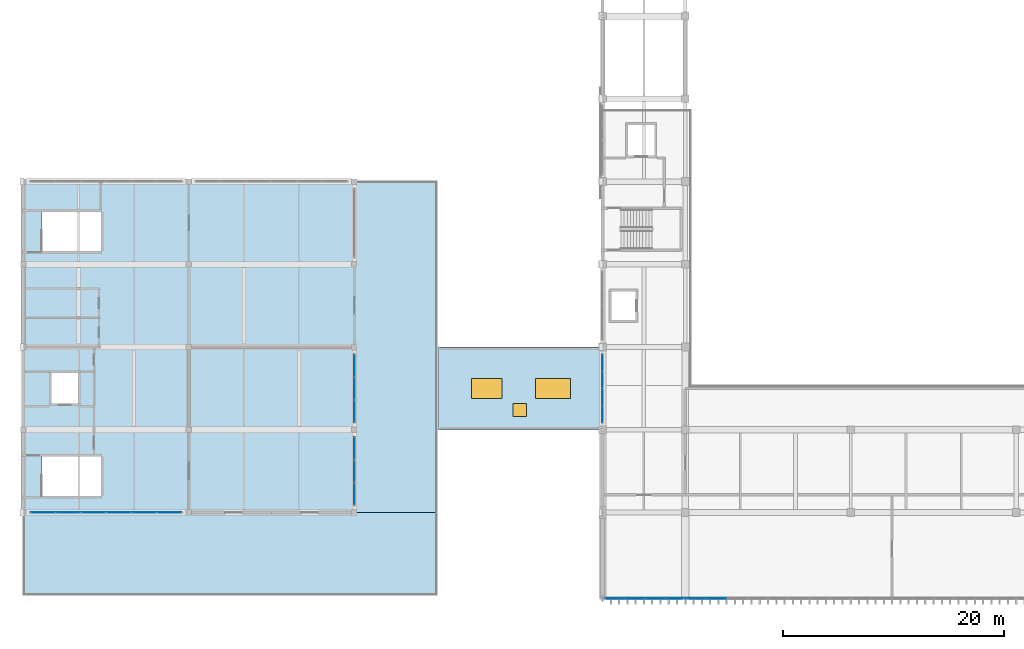
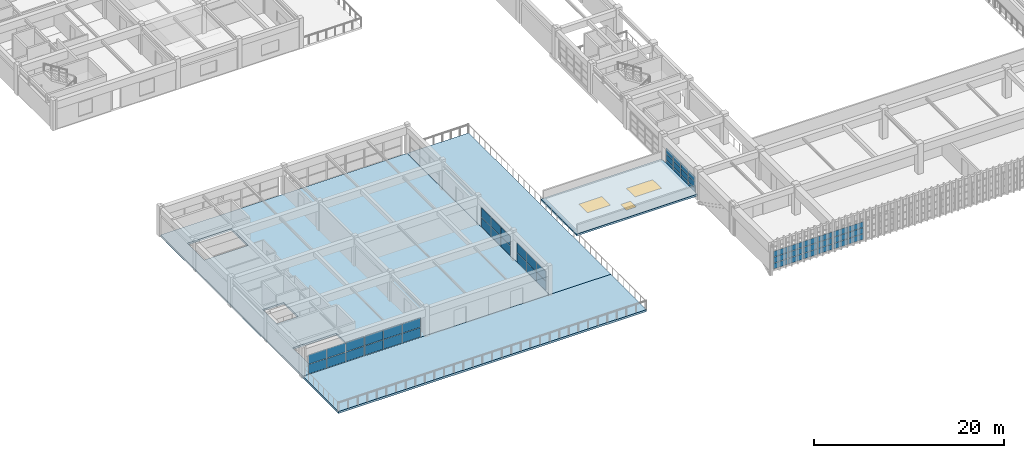
# One storey, part 50 of 82: 54 plates, 4 slabs, 2 windows, 1 door, 3 openings, 7 elements without a shape of their own.
"""IFC4 building model written with IfcOpenShell, lengths in metres."""

from ifc_helpers import new_model, si_unit, direction, frame, origin, origin_2d, place, context, subcontext, project, spatial, polyline, rectangle, outline, extrude, material, layer, layer_set, type_object, element, fill, aggregate, save


model = new_model("IFC4")

# Units and contexts
model_context = context("Model", 3, precision=1e-05, world=origin(), true_north=direction((0.0, 1.0)))
body_context = subcontext(model_context, "Body", "Model", "MODEL_VIEW")
ifc_project = project(units=[si_unit("LENGTHUNIT", "METRE"), si_unit("AREAUNIT", "SQUARE_METRE"), si_unit("VOLUMEUNIT", "CUBIC_METRE"), si_unit("PLANEANGLEUNIT", "RADIAN"), si_unit("MASSUNIT", "GRAM", prefix="KILO")], contexts=[model_context])

# Site, building, storey
site_placement = place(None, origin())
site = spatial("IfcSite", under=ifc_project, at=site_placement, CompositionType="ELEMENT")
building_placement = place(site_placement, origin())
building = spatial("IfcBuilding", under=site, at=building_placement, Name="Qasida Concert Hall", CompositionType="ELEMENT")
storey_placement = place(building_placement, frame((0.0, 0.0, 17.10009765625)))
storey = spatial("IfcBuildingStorey", under=building, at=storey_placement, Name="L04", CompositionType="ELEMENT", Elevation=17.10009765625)

# Curtain wall, plates
ifc_material_1 = material(Name="Architectural bronze-anodized aluminium and low-E glass", Category="aluminium")
curtain_wall_type_1 = type_object("IfcCurtainWallType", Name="CW-10", PredefinedType="NOTDEFINED", material=ifc_material_1)
curtain_wall_1_placement = place(storey_placement, origin())
curtain_wall_1 = element("IfcCurtainWall", 1, at=curtain_wall_1_placement, inside=storey, type_object=curtain_wall_type_1, Name="L04 curtain wall CW-10 0022", PredefinedType="NOTDEFINED")
ifc_material_2 = material(Name="Solar-control low-E double glazing", Category="glass")
ifc_layer_1 = layer(ifc_material_2, 0.035888671875, Name="Solar-control low-E double glazing")
ifc_layer_set_1 = layer_set([ifc_layer_1], Name="Solar-control low-E double glazing")
plate_type_1 = type_object("IfcPlateType", Name="PLT-CWP-1", PredefinedType="CURTAIN_PANEL", material=ifc_layer_set_1)
plate_1_placement = place(storey_placement, frame((53.62744140625, 14.699951171875, 0.06005859375), z_axis=(0.0, 0.0, 1.0), x_axis=(1.0, 0.0, 0.0)))
plate_1 = element("IfcPlate", 2, at=plate_1_placement, type_object=plate_type_1, Name="CW-10 panel 1.1", PredefinedType="CURTAIN_PANEL", context=body_context, shape_type="SweptSolid", body=[
    extrude(rectangle(XDim=1.715087890625, YDim=0.035888671875, at=origin_2d()), origin(), (0.0, 0.0, 1.0), 0.706787109375),
])
plate_2_placement = place(storey_placement, frame((53.62744140625, 14.699951171875, 0.82666015625), z_axis=(0.0, 0.0, 1.0), x_axis=(1.0, 0.0, 0.0)))
plate_2 = element("IfcPlate", 3, at=plate_2_placement, type_object=plate_type_1, Name="CW-10 panel 1.2", PredefinedType="CURTAIN_PANEL", context=body_context, shape_type="SweptSolid", body=[
    extrude(rectangle(XDim=1.715087890625, YDim=0.035888671875, at=origin_2d()), origin(), (0.0, 0.0, 1.0), 0.736572265625),
])
plate_3_placement = place(storey_placement, frame((53.62744140625, 14.699951171875, 1.623046875), z_axis=(0.0, 0.0, 1.0), x_axis=(1.0, 0.0, 0.0)))
plate_3 = element("IfcPlate", 4, at=plate_3_placement, type_object=plate_type_1, Name="CW-10 panel 1.3", PredefinedType="CURTAIN_PANEL", context=body_context, shape_type="SweptSolid", body=[
    extrude(rectangle(XDim=1.715087890625, YDim=0.035888671875, at=origin_2d()), origin(), (0.0, 0.0, 1.0), 0.706787109375),
])
plate_4_placement = place(storey_placement, frame((55.429931640625, 14.699951171875, 0.06005859375), z_axis=(0.0, 0.0, 1.0), x_axis=(1.0, 0.0, 0.0)))
plate_4 = element("IfcPlate", 5, at=plate_4_placement, type_object=plate_type_1, Name="CW-10 panel 2.1", PredefinedType="CURTAIN_PANEL", context=body_context, shape_type="SweptSolid", body=[
    extrude(rectangle(XDim=1.75, YDim=0.035888671875, at=origin_2d()), origin(), (0.0, 0.0, 1.0), 0.706787109375),
])
plate_5_placement = place(storey_placement, frame((55.429931640625, 14.699951171875, 0.82666015625), z_axis=(0.0, 0.0, 1.0), x_axis=(1.0, 0.0, 0.0)))
plate_5 = element("IfcPlate", 6, at=plate_5_placement, type_object=plate_type_1, Name="CW-10 panel 2.2", PredefinedType="CURTAIN_PANEL", context=body_context, shape_type="SweptSolid", body=[
    extrude(rectangle(XDim=1.75, YDim=0.035888671875, at=origin_2d()), origin(), (0.0, 0.0, 1.0), 0.736572265625),
])
plate_6_placement = place(storey_placement, frame((55.429931640625, 14.699951171875, 1.623046875), z_axis=(0.0, 0.0, 1.0), x_axis=(1.0, 0.0, 0.0)))
plate_6 = element("IfcPlate", 7, at=plate_6_placement, type_object=plate_type_1, Name="CW-10 panel 2.3", PredefinedType="CURTAIN_PANEL", context=body_context, shape_type="SweptSolid", body=[
    extrude(rectangle(XDim=1.75, YDim=0.035888671875, at=origin_2d()), origin(), (0.0, 0.0, 1.0), 0.706787109375),
])
plate_7_placement = place(storey_placement, frame((57.25, 14.699951171875, 0.06005859375), z_axis=(0.0, 0.0, 1.0), x_axis=(1.0, 0.0, 0.0)))
plate_7 = element("IfcPlate", 8, at=plate_7_placement, type_object=plate_type_1, Name="CW-10 panel 3.1", PredefinedType="CURTAIN_PANEL", context=body_context, shape_type="SweptSolid", body=[
    extrude(rectangle(XDim=1.75, YDim=0.035888671875, at=origin_2d()), origin(), (0.0, 0.0, 1.0), 0.706787109375),
])
plate_8_placement = place(storey_placement, frame((57.25, 14.699951171875, 0.82666015625), z_axis=(0.0, 0.0, 1.0), x_axis=(1.0, 0.0, 0.0)))
plate_8 = element("IfcPlate", 9, at=plate_8_placement, type_object=plate_type_1, Name="CW-10 panel 3.2", PredefinedType="CURTAIN_PANEL", context=body_context, shape_type="SweptSolid", body=[
    extrude(rectangle(XDim=1.75, YDim=0.035888671875, at=origin_2d()), origin(), (0.0, 0.0, 1.0), 0.736572265625),
])
plate_9_placement = place(storey_placement, frame((57.25, 14.699951171875, 1.623046875), z_axis=(0.0, 0.0, 1.0), x_axis=(1.0, 0.0, 0.0)))
plate_9 = element("IfcPlate", 10, at=plate_9_placement, type_object=plate_type_1, Name="CW-10 panel 3.3", PredefinedType="CURTAIN_PANEL", context=body_context, shape_type="SweptSolid", body=[
    extrude(rectangle(XDim=1.75, YDim=0.035888671875, at=origin_2d()), origin(), (0.0, 0.0, 1.0), 0.706787109375),
])
plate_10_placement = place(storey_placement, frame((59.052490234375, 14.699951171875, 0.06005859375), z_axis=(0.0, 0.0, 1.0), x_axis=(1.0, 0.0, 0.0)))
plate_10 = element("IfcPlate", 11, at=plate_10_placement, type_object=plate_type_1, Name="CW-10 panel 4.1", PredefinedType="CURTAIN_PANEL", context=body_context, shape_type="SweptSolid", body=[
    extrude(rectangle(XDim=1.715087890625, YDim=0.035888671875, at=origin_2d()), origin(), (0.0, 0.0, 1.0), 0.706787109375),
])
plate_11_placement = place(storey_placement, frame((59.052490234375, 14.699951171875, 0.82666015625), z_axis=(0.0, 0.0, 1.0), x_axis=(1.0, 0.0, 0.0)))
plate_11 = element("IfcPlate", 12, at=plate_11_placement, type_object=plate_type_1, Name="CW-10 panel 4.2", PredefinedType="CURTAIN_PANEL", context=body_context, shape_type="SweptSolid", body=[
    extrude(rectangle(XDim=1.715087890625, YDim=0.035888671875, at=origin_2d()), origin(), (0.0, 0.0, 1.0), 0.736572265625),
])
plate_12_placement = place(storey_placement, frame((59.052490234375, 14.699951171875, 1.623046875), z_axis=(0.0, 0.0, 1.0), x_axis=(1.0, 0.0, 0.0)))
plate_12 = element("IfcPlate", 13, at=plate_12_placement, type_object=plate_type_1, Name="CW-10 panel 4.3", PredefinedType="CURTAIN_PANEL", context=body_context, shape_type="SweptSolid", body=[
    extrude(rectangle(XDim=1.715087890625, YDim=0.035888671875, at=origin_2d()), origin(), (0.0, 0.0, 1.0), 0.706787109375),
])
aggregate(curtain_wall_1, [plate_1, plate_2, plate_3, plate_4, plate_5, plate_6, plate_7, plate_8, plate_9, plate_10, plate_11, plate_12])

curtain_wall_2_placement = place(storey_placement, origin())
curtain_wall_2 = element("IfcCurtainWall", 14, at=curtain_wall_2_placement, inside=storey, type_object=curtain_wall_type_1, Name="L04 curtain wall CW-10 0023", PredefinedType="NOTDEFINED")
plate_13_placement = place(storey_placement, frame((60.969970703125, 14.699951171875, 0.06005859375), z_axis=(0.0, 0.0, 1.0), x_axis=(1.0, 0.0, 0.0)))
plate_13 = element("IfcPlate", 15, at=plate_13_placement, type_object=plate_type_1, Name="CW-10 panel 1.1", PredefinedType="CURTAIN_PANEL", context=body_context, shape_type="SweptSolid", body=[
    extrude(rectangle(XDim=1.760009765625, YDim=0.035888671875, at=origin_2d()), origin(), (0.0, 0.0, 1.0), 0.706787109375),
])
plate_14_placement = place(storey_placement, frame((60.969970703125, 14.699951171875, 0.82666015625), z_axis=(0.0, 0.0, 1.0), x_axis=(1.0, 0.0, 0.0)))
plate_14 = element("IfcPlate", 16, at=plate_14_placement, type_object=plate_type_1, Name="CW-10 panel 1.2", PredefinedType="CURTAIN_PANEL", context=body_context, shape_type="SweptSolid", body=[
    extrude(rectangle(XDim=1.760009765625, YDim=0.035888671875, at=origin_2d()), origin(), (0.0, 0.0, 1.0), 0.736572265625),
])
plate_15_placement = place(storey_placement, frame((60.969970703125, 14.699951171875, 1.623046875), z_axis=(0.0, 0.0, 1.0), x_axis=(1.0, 0.0, 0.0)))
plate_15 = element("IfcPlate", 17, at=plate_15_placement, type_object=plate_type_1, Name="CW-10 panel 1.3", PredefinedType="CURTAIN_PANEL", context=body_context, shape_type="SweptSolid", body=[
    extrude(rectangle(XDim=1.760009765625, YDim=0.035888671875, at=origin_2d()), origin(), (0.0, 0.0, 1.0), 0.706787109375),
])
plate_16_placement = place(storey_placement, frame((62.8173828125, 14.699951171875, 0.06005859375), z_axis=(0.0, 0.0, 1.0), x_axis=(1.0, 0.0, 0.0)))
plate_16 = element("IfcPlate", 18, at=plate_16_placement, type_object=plate_type_1, Name="CW-10 panel 2.1", PredefinedType="CURTAIN_PANEL", context=body_context, shape_type="SweptSolid", body=[
    extrude(rectangle(XDim=1.794921875, YDim=0.035888671875, at=origin_2d()), origin(), (0.0, 0.0, 1.0), 0.706787109375),
])
plate_17_placement = place(storey_placement, frame((62.8173828125, 14.699951171875, 0.82666015625), z_axis=(0.0, 0.0, 1.0), x_axis=(1.0, 0.0, 0.0)))
plate_17 = element("IfcPlate", 19, at=plate_17_placement, type_object=plate_type_1, Name="CW-10 panel 2.2", PredefinedType="CURTAIN_PANEL", context=body_context, shape_type="SweptSolid", body=[
    extrude(rectangle(XDim=1.794921875, YDim=0.035888671875, at=origin_2d()), origin(), (0.0, 0.0, 1.0), 0.736572265625),
])
plate_18_placement = place(storey_placement, frame((62.8173828125, 14.699951171875, 1.623046875), z_axis=(0.0, 0.0, 1.0), x_axis=(1.0, 0.0, 0.0)))
plate_18 = element("IfcPlate", 20, at=plate_18_placement, type_object=plate_type_1, Name="CW-10 panel 2.3", PredefinedType="CURTAIN_PANEL", context=body_context, shape_type="SweptSolid", body=[
    extrude(rectangle(XDim=1.794921875, YDim=0.035888671875, at=origin_2d()), origin(), (0.0, 0.0, 1.0), 0.706787109375),
])
aggregate(curtain_wall_2, [plate_13, plate_14, plate_15, plate_16, plate_17, plate_18])

curtain_wall_type_2 = type_object("IfcCurtainWallType", Name="CW-11", PredefinedType="NOTDEFINED", material=ifc_material_1)
curtain_wall_3_placement = place(storey_placement, origin())
curtain_wall_3 = element("IfcCurtainWall", 21, at=curtain_wall_3_placement, inside=storey, type_object=curtain_wall_type_2, Name="L04 curtain wall CW-11 0056", PredefinedType="NOTDEFINED")
ifc_layer_2 = layer(ifc_material_2, 0.031982421875, Name="Solar-control low-E double glazing")
ifc_layer_set_2 = layer_set([ifc_layer_2], Name="Solar-control low-E double glazing")
plate_type_2 = type_object("IfcPlateType", Name="PLT-CWP-2", PredefinedType="CURTAIN_PANEL", material=ifc_layer_set_2)
plate_19_placement = place(storey_placement, frame((52.5, 31.418701171875, 0.06005859375), z_axis=(0.0, 0.0, 1.0), x_axis=(0.0, 1.0, 0.0)))
plate_19 = element("IfcPlate", 22, at=plate_19_placement, type_object=plate_type_2, Name="CW-11 panel 1.1", PredefinedType="CURTAIN_PANEL", context=body_context, shape_type="SweptSolid", body=[
    extrude(rectangle(XDim=1.467529296875, YDim=0.031982421875, at=origin_2d()), origin(), (0.0, 0.0, 1.0), 0.706787109375),
])
plate_20_placement = place(storey_placement, frame((52.5, 31.418701171875, 0.82666015625), z_axis=(0.0, 0.0, 1.0), x_axis=(0.0, 1.0, 0.0)))
plate_20 = element("IfcPlate", 23, at=plate_20_placement, type_object=plate_type_2, Name="CW-11 panel 1.2", PredefinedType="CURTAIN_PANEL", context=body_context, shape_type="SweptSolid", body=[
    extrude(rectangle(XDim=1.467529296875, YDim=0.031982421875, at=origin_2d()), origin(), (0.0, 0.0, 1.0), 0.736572265625),
])
plate_21_placement = place(storey_placement, frame((52.5, 31.418701171875, 1.623046875), z_axis=(0.0, 0.0, 1.0), x_axis=(0.0, 1.0, 0.0)))
plate_21 = element("IfcPlate", 24, at=plate_21_placement, type_object=plate_type_2, Name="CW-11 panel 1.3", PredefinedType="CURTAIN_PANEL", context=body_context, shape_type="SweptSolid", body=[
    extrude(rectangle(XDim=1.467529296875, YDim=0.031982421875, at=origin_2d()), origin(), (0.0, 0.0, 1.0), 0.706787109375),
])
plate_22_placement = place(storey_placement, frame((52.5, 32.967529296875, 0.06005859375), z_axis=(0.0, 0.0, 1.0), x_axis=(0.0, 1.0, 0.0)))
plate_22 = element("IfcPlate", 25, at=plate_22_placement, type_object=plate_type_2, Name="CW-11 panel 2.1", PredefinedType="CURTAIN_PANEL", context=body_context, shape_type="SweptSolid", body=[
    extrude(rectangle(XDim=1.5, YDim=0.031982421875, at=origin_2d()), origin(), (0.0, 0.0, 1.0), 0.706787109375),
])
plate_23_placement = place(storey_placement, frame((52.5, 32.967529296875, 0.82666015625), z_axis=(0.0, 0.0, 1.0), x_axis=(0.0, 1.0, 0.0)))
plate_23 = element("IfcPlate", 26, at=plate_23_placement, type_object=plate_type_2, Name="CW-11 panel 2.2", PredefinedType="CURTAIN_PANEL", context=body_context, shape_type="SweptSolid", body=[
    extrude(rectangle(XDim=1.5, YDim=0.031982421875, at=origin_2d()), origin(), (0.0, 0.0, 1.0), 0.736572265625),
])
plate_24_placement = place(storey_placement, frame((52.5, 32.967529296875, 1.623046875), z_axis=(0.0, 0.0, 1.0), x_axis=(0.0, 1.0, 0.0)))
plate_24 = element("IfcPlate", 27, at=plate_24_placement, type_object=plate_type_2, Name="CW-11 panel 2.3", PredefinedType="CURTAIN_PANEL", context=body_context, shape_type="SweptSolid", body=[
    extrude(rectangle(XDim=1.5, YDim=0.031982421875, at=origin_2d()), origin(), (0.0, 0.0, 1.0), 0.706787109375),
])
plate_25_placement = place(storey_placement, frame((52.5, 34.532470703125, 0.06005859375), z_axis=(0.0, 0.0, 1.0), x_axis=(0.0, 1.0, 0.0)))
plate_25 = element("IfcPlate", 28, at=plate_25_placement, type_object=plate_type_2, Name="CW-11 panel 3.1", PredefinedType="CURTAIN_PANEL", context=body_context, shape_type="SweptSolid", body=[
    extrude(rectangle(XDim=1.5, YDim=0.031982421875, at=origin_2d()), origin(), (0.0, 0.0, 1.0), 0.706787109375),
])
plate_26_placement = place(storey_placement, frame((52.5, 34.532470703125, 0.82666015625), z_axis=(0.0, 0.0, 1.0), x_axis=(0.0, 1.0, 0.0)))
plate_26 = element("IfcPlate", 29, at=plate_26_placement, type_object=plate_type_2, Name="CW-11 panel 3.2", PredefinedType="CURTAIN_PANEL", context=body_context, shape_type="SweptSolid", body=[
    extrude(rectangle(XDim=1.5, YDim=0.031982421875, at=origin_2d()), origin(), (0.0, 0.0, 1.0), 0.736572265625),
])
plate_27_placement = place(storey_placement, frame((52.5, 34.532470703125, 1.623046875), z_axis=(0.0, 0.0, 1.0), x_axis=(0.0, 1.0, 0.0)))
plate_27 = element("IfcPlate", 30, at=plate_27_placement, type_object=plate_type_2, Name="CW-11 panel 3.3", PredefinedType="CURTAIN_PANEL", context=body_context, shape_type="SweptSolid", body=[
    extrude(rectangle(XDim=1.5, YDim=0.031982421875, at=origin_2d()), origin(), (0.0, 0.0, 1.0), 0.706787109375),
])
plate_28_placement = place(storey_placement, frame((52.5, 36.081298828125, 0.06005859375), z_axis=(0.0, 0.0, 1.0), x_axis=(0.0, 1.0, 0.0)))
plate_28 = element("IfcPlate", 31, at=plate_28_placement, type_object=plate_type_2, Name="CW-11 panel 4.1", PredefinedType="CURTAIN_PANEL", context=body_context, shape_type="SweptSolid", body=[
    extrude(rectangle(XDim=1.467529296875, YDim=0.031982421875, at=origin_2d()), origin(), (0.0, 0.0, 1.0), 0.706787109375),
])
plate_29_placement = place(storey_placement, frame((52.5, 36.081298828125, 0.82666015625), z_axis=(0.0, 0.0, 1.0), x_axis=(0.0, 1.0, 0.0)))
plate_29 = element("IfcPlate", 32, at=plate_29_placement, type_object=plate_type_2, Name="CW-11 panel 4.2", PredefinedType="CURTAIN_PANEL", context=body_context, shape_type="SweptSolid", body=[
    extrude(rectangle(XDim=1.467529296875, YDim=0.031982421875, at=origin_2d()), origin(), (0.0, 0.0, 1.0), 0.736572265625),
])
plate_30_placement = place(storey_placement, frame((52.5, 36.081298828125, 1.623046875), z_axis=(0.0, 0.0, 1.0), x_axis=(0.0, 1.0, 0.0)))
plate_30 = element("IfcPlate", 33, at=plate_30_placement, type_object=plate_type_2, Name="CW-11 panel 4.3", PredefinedType="CURTAIN_PANEL", context=body_context, shape_type="SweptSolid", body=[
    extrude(rectangle(XDim=1.467529296875, YDim=0.031982421875, at=origin_2d()), origin(), (0.0, 0.0, 1.0), 0.706787109375),
])
aggregate(curtain_wall_3, [plate_19, plate_20, plate_21, plate_22, plate_23, plate_24, plate_25, plate_26, plate_27, plate_28, plate_29, plate_30])

curtain_wall_type_3 = type_object("IfcCurtainWallType", Name="CW-12", PredefinedType="NOTDEFINED", material=ifc_material_1)
curtain_wall_4_placement = place(storey_placement, origin())
curtain_wall_4 = element("IfcCurtainWall", 34, at=curtain_wall_4_placement, inside=storey, type_object=curtain_wall_type_3, Name="L04 curtain wall CW-12 0130", PredefinedType="NOTDEFINED")
ifc_layer_3 = layer(ifc_material_2, 0.028076171875, Name="Solar-control low-E double glazing")
ifc_layer_set_3 = layer_set([ifc_layer_3], Name="Solar-control low-E double glazing")
plate_type_3 = type_object("IfcPlateType", Name="PLT-CWP-3", PredefinedType="CURTAIN_PANEL", material=ifc_layer_set_3)
plate_31_placement = place(storey_placement, frame((1.780029296875, 22.5, 0.059814453125), z_axis=(0.0, 0.0, 1.0), x_axis=(1.0, 0.0, 0.0)))
plate_31 = element("IfcPlate", 35, at=plate_31_placement, type_object=plate_type_3, Name="CW-12 panel 1.1", PredefinedType="CURTAIN_PANEL", context=body_context, shape_type="SweptSolid", body=[
    extrude(rectangle(XDim=2.199951171875, YDim=0.028076171875, at=origin_2d()), origin(), (0.0, 0.0, 1.0), 1.205078125),
])
plate_32_placement = place(storey_placement, frame((1.780029296875, 22.5, 1.324951171875), z_axis=(0.0, 0.0, 1.0), x_axis=(1.0, 0.0, 0.0)))
plate_32 = element("IfcPlate", 36, at=plate_32_placement, type_object=plate_type_3, Name="CW-12 panel 1.2", PredefinedType="CURTAIN_PANEL", context=body_context, shape_type="SweptSolid", body=[
    extrude(rectangle(XDim=2.199951171875, YDim=0.028076171875, at=origin_2d()), origin(), (0.0, 0.0, 1.0), 1.205078125),
])
plate_33_placement = place(storey_placement, frame((4.054931640625, 22.5, 0.059814453125), z_axis=(0.0, 0.0, 1.0), x_axis=(1.0, 0.0, 0.0)))
plate_33 = element("IfcPlate", 37, at=plate_33_placement, type_object=plate_type_3, Name="CW-12 panel 2.1", PredefinedType="CURTAIN_PANEL", context=body_context, shape_type="SweptSolid", body=[
    extrude(rectangle(XDim=2.22998046875, YDim=0.028076171875, at=origin_2d()), origin(), (0.0, 0.0, 1.0), 1.205078125),
])
plate_34_placement = place(storey_placement, frame((4.054931640625, 22.5, 1.324951171875), z_axis=(0.0, 0.0, 1.0), x_axis=(1.0, 0.0, 0.0)))
plate_34 = element("IfcPlate", 38, at=plate_34_placement, type_object=plate_type_3, Name="CW-12 panel 2.2", PredefinedType="CURTAIN_PANEL", context=body_context, shape_type="SweptSolid", body=[
    extrude(rectangle(XDim=2.22998046875, YDim=0.028076171875, at=origin_2d()), origin(), (0.0, 0.0, 1.0), 1.205078125),
])
plate_35_placement = place(storey_placement, frame((6.330078125, 22.5, 0.059814453125), z_axis=(0.0, 0.0, 1.0), x_axis=(1.0, 0.0, 0.0)))
plate_35 = element("IfcPlate", 39, at=plate_35_placement, type_object=plate_type_3, Name="CW-12 panel 3.1", PredefinedType="CURTAIN_PANEL", context=body_context, shape_type="SweptSolid", body=[
    extrude(rectangle(XDim=2.199951171875, YDim=0.028076171875, at=origin_2d()), origin(), (0.0, 0.0, 1.0), 1.205078125),
])
plate_36_placement = place(storey_placement, frame((6.330078125, 22.5, 1.324951171875), z_axis=(0.0, 0.0, 1.0), x_axis=(1.0, 0.0, 0.0)))
plate_36 = element("IfcPlate", 40, at=plate_36_placement, type_object=plate_type_3, Name="CW-12 panel 3.2", PredefinedType="CURTAIN_PANEL", context=body_context, shape_type="SweptSolid", body=[
    extrude(rectangle(XDim=2.199951171875, YDim=0.028076171875, at=origin_2d()), origin(), (0.0, 0.0, 1.0), 1.205078125),
])
aggregate(curtain_wall_4, [plate_31, plate_32, plate_33, plate_34, plate_35, plate_36])

curtain_wall_5_placement = place(storey_placement, origin())
curtain_wall_5 = element("IfcCurtainWall", 41, at=curtain_wall_5_placement, inside=storey, type_object=curtain_wall_type_3, Name="L04 curtain wall CW-12 0132", PredefinedType="NOTDEFINED")
plate_37_placement = place(storey_placement, frame((8.669921875, 22.5, 0.059814453125), z_axis=(0.0, 0.0, 1.0), x_axis=(1.0, 0.0, 0.0)))
plate_37 = element("IfcPlate", 42, at=plate_37_placement, type_object=plate_type_3, Name="CW-12 panel 1.1", PredefinedType="CURTAIN_PANEL", context=body_context, shape_type="SweptSolid", body=[
    extrude(rectangle(XDim=2.199951171875, YDim=0.028076171875, at=origin_2d()), origin(), (0.0, 0.0, 1.0), 1.205078125),
])
plate_38_placement = place(storey_placement, frame((8.669921875, 22.5, 1.324951171875), z_axis=(0.0, 0.0, 1.0), x_axis=(1.0, 0.0, 0.0)))
plate_38 = element("IfcPlate", 43, at=plate_38_placement, type_object=plate_type_3, Name="CW-12 panel 1.2", PredefinedType="CURTAIN_PANEL", context=body_context, shape_type="SweptSolid", body=[
    extrude(rectangle(XDim=2.199951171875, YDim=0.028076171875, at=origin_2d()), origin(), (0.0, 0.0, 1.0), 1.205078125),
])
plate_39_placement = place(storey_placement, frame((10.945068359375, 22.5, 0.059814453125), z_axis=(0.0, 0.0, 1.0), x_axis=(1.0, 0.0, 0.0)))
plate_39 = element("IfcPlate", 44, at=plate_39_placement, type_object=plate_type_3, Name="CW-12 panel 2.1", PredefinedType="CURTAIN_PANEL", context=body_context, shape_type="SweptSolid", body=[
    extrude(rectangle(XDim=2.22998046875, YDim=0.028076171875, at=origin_2d()), origin(), (0.0, 0.0, 1.0), 1.205078125),
])
plate_40_placement = place(storey_placement, frame((10.945068359375, 22.5, 1.324951171875), z_axis=(0.0, 0.0, 1.0), x_axis=(1.0, 0.0, 0.0)))
plate_40 = element("IfcPlate", 45, at=plate_40_placement, type_object=plate_type_3, Name="CW-12 panel 2.2", PredefinedType="CURTAIN_PANEL", context=body_context, shape_type="SweptSolid", body=[
    extrude(rectangle(XDim=2.22998046875, YDim=0.028076171875, at=origin_2d()), origin(), (0.0, 0.0, 1.0), 1.205078125),
])
plate_41_placement = place(storey_placement, frame((13.219970703125, 22.5, 0.059814453125), z_axis=(0.0, 0.0, 1.0), x_axis=(1.0, 0.0, 0.0)))
plate_41 = element("IfcPlate", 46, at=plate_41_placement, type_object=plate_type_3, Name="CW-12 panel 3.1", PredefinedType="CURTAIN_PANEL", context=body_context, shape_type="SweptSolid", body=[
    extrude(rectangle(XDim=2.199951171875, YDim=0.028076171875, at=origin_2d()), origin(), (0.0, 0.0, 1.0), 1.205078125),
])
plate_42_placement = place(storey_placement, frame((13.219970703125, 22.5, 1.324951171875), z_axis=(0.0, 0.0, 1.0), x_axis=(1.0, 0.0, 0.0)))
plate_42 = element("IfcPlate", 47, at=plate_42_placement, type_object=plate_type_3, Name="CW-12 panel 3.2", PredefinedType="CURTAIN_PANEL", context=body_context, shape_type="SweptSolid", body=[
    extrude(rectangle(XDim=2.199951171875, YDim=0.028076171875, at=origin_2d()), origin(), (0.0, 0.0, 1.0), 1.205078125),
])
aggregate(curtain_wall_5, [plate_37, plate_38, plate_39, plate_40, plate_41, plate_42])

curtain_wall_6_placement = place(storey_placement, origin())
curtain_wall_6 = element("IfcCurtainWall", 48, at=curtain_wall_6_placement, inside=storey, type_object=curtain_wall_type_3, Name="L04 curtain wall CW-12 0136", PredefinedType="NOTDEFINED")
plate_43_placement = place(storey_placement, frame((30.0, 24.17822265625, 0.059814453125), z_axis=(0.0, 0.0, 1.0), x_axis=(0.0, 1.0, 0.0)))
plate_43 = element("IfcPlate", 49, at=plate_43_placement, type_object=plate_type_3, Name="CW-12 panel 1.1", PredefinedType="CURTAIN_PANEL", context=body_context, shape_type="SweptSolid", body=[
    extrude(rectangle(XDim=1.99658203125, YDim=0.028076171875, at=origin_2d()), origin(), (0.0, 0.0, 1.0), 1.205078125),
])
plate_44_placement = place(storey_placement, frame((30.0, 24.17822265625, 1.324951171875), z_axis=(0.0, 0.0, 1.0), x_axis=(0.0, 1.0, 0.0)))
plate_44 = element("IfcPlate", 50, at=plate_44_placement, type_object=plate_type_3, Name="CW-12 panel 1.2", PredefinedType="CURTAIN_PANEL", context=body_context, shape_type="SweptSolid", body=[
    extrude(rectangle(XDim=1.99658203125, YDim=0.028076171875, at=origin_2d()), origin(), (0.0, 0.0, 1.0), 1.205078125),
])
plate_45_placement = place(storey_placement, frame((30.0, 26.25, 0.059814453125), z_axis=(0.0, 0.0, 1.0), x_axis=(0.0, 1.0, 0.0)))
plate_45 = element("IfcPlate", 51, at=plate_45_placement, type_object=plate_type_3, Name="CW-12 panel 2.1", PredefinedType="CURTAIN_PANEL", context=body_context, shape_type="SweptSolid", body=[
    extrude(rectangle(XDim=2.026611328125, YDim=0.028076171875, at=origin_2d()), origin(), (0.0, 0.0, 1.0), 1.205078125),
])
plate_46_placement = place(storey_placement, frame((30.0, 26.25, 1.324951171875), z_axis=(0.0, 0.0, 1.0), x_axis=(0.0, 1.0, 0.0)))
plate_46 = element("IfcPlate", 52, at=plate_46_placement, type_object=plate_type_3, Name="CW-12 panel 2.2", PredefinedType="CURTAIN_PANEL", context=body_context, shape_type="SweptSolid", body=[
    extrude(rectangle(XDim=2.026611328125, YDim=0.028076171875, at=origin_2d()), origin(), (0.0, 0.0, 1.0), 1.205078125),
])
plate_47_placement = place(storey_placement, frame((30.0, 28.32177734375, 0.059814453125), z_axis=(0.0, 0.0, 1.0), x_axis=(0.0, 1.0, 0.0)))
plate_47 = element("IfcPlate", 53, at=plate_47_placement, type_object=plate_type_3, Name="CW-12 panel 3.1", PredefinedType="CURTAIN_PANEL", context=body_context, shape_type="SweptSolid", body=[
    extrude(rectangle(XDim=1.99658203125, YDim=0.028076171875, at=origin_2d()), origin(), (0.0, 0.0, 1.0), 1.205078125),
])
plate_48_placement = place(storey_placement, frame((30.0, 28.32177734375, 1.324951171875), z_axis=(0.0, 0.0, 1.0), x_axis=(0.0, 1.0, 0.0)))
plate_48 = element("IfcPlate", 54, at=plate_48_placement, type_object=plate_type_3, Name="CW-12 panel 3.2", PredefinedType="CURTAIN_PANEL", context=body_context, shape_type="SweptSolid", body=[
    extrude(rectangle(XDim=1.99658203125, YDim=0.028076171875, at=origin_2d()), origin(), (0.0, 0.0, 1.0), 1.205078125),
])
aggregate(curtain_wall_6, [plate_43, plate_44, plate_45, plate_46, plate_47, plate_48])

curtain_wall_7_placement = place(storey_placement, origin())
curtain_wall_7 = element("IfcCurtainWall", 55, at=curtain_wall_7_placement, inside=storey, type_object=curtain_wall_type_3, Name="L04 curtain wall CW-12 0137", PredefinedType="NOTDEFINED")
plate_49_placement = place(storey_placement, frame((30.0, 31.67822265625, 0.059814453125), z_axis=(0.0, 0.0, 1.0), x_axis=(0.0, 1.0, 0.0)))
plate_49 = element("IfcPlate", 56, at=plate_49_placement, type_object=plate_type_3, Name="CW-12 panel 1.1", PredefinedType="CURTAIN_PANEL", context=body_context, shape_type="SweptSolid", body=[
    extrude(rectangle(XDim=1.99658203125, YDim=0.028076171875, at=origin_2d()), origin(), (0.0, 0.0, 1.0), 1.205078125),
])
plate_50_placement = place(storey_placement, frame((30.0, 31.67822265625, 1.324951171875), z_axis=(0.0, 0.0, 1.0), x_axis=(0.0, 1.0, 0.0)))
plate_50 = element("IfcPlate", 57, at=plate_50_placement, type_object=plate_type_3, Name="CW-12 panel 1.2", PredefinedType="CURTAIN_PANEL", context=body_context, shape_type="SweptSolid", body=[
    extrude(rectangle(XDim=1.99658203125, YDim=0.028076171875, at=origin_2d()), origin(), (0.0, 0.0, 1.0), 1.205078125),
])
plate_51_placement = place(storey_placement, frame((30.0, 33.75, 0.059814453125), z_axis=(0.0, 0.0, 1.0), x_axis=(0.0, 1.0, 0.0)))
plate_51 = element("IfcPlate", 58, at=plate_51_placement, type_object=plate_type_3, Name="CW-12 panel 2.1", PredefinedType="CURTAIN_PANEL", context=body_context, shape_type="SweptSolid", body=[
    extrude(rectangle(XDim=2.026611328125, YDim=0.028076171875, at=origin_2d()), origin(), (0.0, 0.0, 1.0), 1.205078125),
])
plate_52_placement = place(storey_placement, frame((30.0, 33.75, 1.324951171875), z_axis=(0.0, 0.0, 1.0), x_axis=(0.0, 1.0, 0.0)))
plate_52 = element("IfcPlate", 59, at=plate_52_placement, type_object=plate_type_3, Name="CW-12 panel 2.2", PredefinedType="CURTAIN_PANEL", context=body_context, shape_type="SweptSolid", body=[
    extrude(rectangle(XDim=2.026611328125, YDim=0.028076171875, at=origin_2d()), origin(), (0.0, 0.0, 1.0), 1.205078125),
])
plate_53_placement = place(storey_placement, frame((30.0, 35.82177734375, 0.059814453125), z_axis=(0.0, 0.0, 1.0), x_axis=(0.0, 1.0, 0.0)))
plate_53 = element("IfcPlate", 60, at=plate_53_placement, type_object=plate_type_3, Name="CW-12 panel 3.1", PredefinedType="CURTAIN_PANEL", context=body_context, shape_type="SweptSolid", body=[
    extrude(rectangle(XDim=1.99658203125, YDim=0.028076171875, at=origin_2d()), origin(), (0.0, 0.0, 1.0), 1.205078125),
])
plate_54_placement = place(storey_placement, frame((30.0, 35.82177734375, 1.324951171875), z_axis=(0.0, 0.0, 1.0), x_axis=(0.0, 1.0, 0.0)))
plate_54 = element("IfcPlate", 61, at=plate_54_placement, type_object=plate_type_3, Name="CW-12 panel 3.2", PredefinedType="CURTAIN_PANEL", context=body_context, shape_type="SweptSolid", body=[
    extrude(rectangle(XDim=1.99658203125, YDim=0.028076171875, at=origin_2d()), origin(), (0.0, 0.0, 1.0), 1.205078125),
])
aggregate(curtain_wall_7, [plate_49, plate_50, plate_51, plate_52, plate_53, plate_54])

# Slab
ifc_material_3 = material(Name="Concrete C40/50", Category="concrete")
ifc_layer_4 = layer(ifc_material_3, 0.239990234375, Name="Concrete C40/50")
ifc_layer_set_4 = layer_set([ifc_layer_4], Name="Concrete C40/50")
slab_type_1 = type_object("IfcSlabType", Name="SL-FS-240", PredefinedType="FLOOR", material=ifc_layer_set_4)
slab_1_placement = place(storey_placement, frame((0.0, 0.0, -0.239990234375)))
element("IfcSlab", 62, at=slab_1_placement, inside=storey, type_object=slab_type_1, Name="V3 belvedere lounge (FS-240)", PredefinedType="FLOOR", context=body_context, shape_type="SweptSolid", body=[
    extrude(outline(polyline([(0.0, 22.5), (30.0, 22.5), (30.0, 52.5), (0.0, 52.5), (0.0, 22.5)]), holes=[polyline([(1.68994140625, 24.0), (7.02001953125, 24.0), (7.02001953125, 27.56005859375), (1.68994140625, 27.56005859375), (1.68994140625, 24.0)]), polyline([(2.449951171875, 32.25), (5.050048828125, 32.25), (5.050048828125, 35.25), (2.449951171875, 35.25), (2.449951171875, 32.25)]), polyline([(1.68994140625, 46.199951171875), (7.02001953125, 46.199951171875), (7.02001953125, 49.760009765625), (1.68994140625, 49.760009765625), (1.68994140625, 46.199951171875)])]), origin(), (0.0, 0.0, 1.0), 0.239990234375),
])

# Slab, openings, door, windows
ifc_layer_5 = layer(ifc_material_3, 0.239990234375, Name="Concrete C40/50")
ifc_layer_set_5 = layer_set([ifc_layer_5], Name="Concrete C40/50")
slab_type_2 = type_object("IfcSlabType", Name="SL-RS-240", PredefinedType="ROOF", material=ifc_layer_set_5)
slab_2_placement = place(storey_placement, frame((0.0, 0.0, 0.309814453125)))
slab_2 = element("IfcSlab", 63, at=slab_2_placement, inside=storey, type_object=slab_type_2, Name="Link V3-V1 roof slab (RS-240)", PredefinedType="ROOF", context=body_context, shape_type="SweptSolid", body=[
    extrude(outline(polyline([(37.64990234375, 30.0), (52.35009765625, 30.0), (52.35009765625, 37.5), (37.64990234375, 37.5), (37.64990234375, 30.0)])), origin(), (0.0, 0.0, 1.0), 0.239990234375),
])
opening_1_placement = place(slab_2_placement, frame((42.0, 33.75, -0.010009765625)))
opening_1 = element("IfcOpeningElement", 64, at=opening_1_placement, cuts=slab_2, Name="Opening SK-02", PredefinedType="OPENING", context=body_context, shape_type="SweptSolid", body=[
    extrude(rectangle(XDim=2.800048828125, YDim=1.800048828125, at=origin_2d()), origin(), (0.0, 0.0, 1.0), 0.260009765625),
])
opening_2_placement = place(slab_2_placement, frame((48.0, 33.75, -0.010009765625)))
opening_2 = element("IfcOpeningElement", 65, at=opening_2_placement, cuts=slab_2, Name="Opening SK-03", PredefinedType="OPENING", context=body_context, shape_type="SweptSolid", body=[
    extrude(rectangle(XDim=3.199951171875, YDim=1.800048828125, at=origin_2d()), origin(), (0.0, 0.0, 1.0), 0.260009765625),
])
opening_3_placement = place(slab_2_placement, frame((45.0, 31.800048828125, -0.010009765625)))
opening_3 = element("IfcOpeningElement", 66, at=opening_3_placement, cuts=slab_2, Name="Opening RH-120", PredefinedType="OPENING", context=body_context, shape_type="SweptSolid", body=[
    extrude(rectangle(XDim=1.199951171875, YDim=1.199951171875, at=origin_2d()), origin(), (0.0, 0.0, 1.0), 0.260009765625),
])
ifc_material_4 = material(Name="Insulated powder-coated galvanized steel", Category="steel")
door_type = type_object("IfcDoorType", Name="RH-120", OperationType="NOTDEFINED", PredefinedType="TRAPDOOR", material=ifc_material_4)
door_placement = place(storey_placement, frame((45.0, 31.800048828125, 0.499755859375)))
door = element("IfcDoor", 67, at=door_placement, inside=storey, type_object=door_type, Name="L04 roof access hatch RH-02", OperationType="SINGLE_SWING_LEFT", OverallHeight=1.199951171875, OverallWidth=1.199951171875, PredefinedType="TRAPDOOR", context=body_context, shape_type="SweptSolid", body=[
    extrude(rectangle(XDim=1.199951171875, YDim=1.199951171875, at=origin_2d()), origin(), (0.0, 0.0, 1.0), 0.050048828125),
])
fill(opening_3, door)
ifc_material_5 = material(Name="Bronze-anodized aluminium frame with acoustic low-E glazing", Category="aluminium")
window_type_1 = type_object("IfcWindowType", Name="SK-02", PartitioningType="SINGLE_PANEL", PredefinedType="SKYLIGHT", material=ifc_material_5)
window_1_placement = place(storey_placement, frame((42.0, 33.75, 0.499755859375)))
window_1 = element("IfcWindow", 68, at=window_1_placement, inside=storey, type_object=window_type_1, Name="L04 acoustic skylight SK-02 006", OverallHeight=1.800048828125, OverallWidth=2.800048828125, PartitioningType="SINGLE_PANEL", PredefinedType="SKYLIGHT", context=body_context, shape_type="SweptSolid", body=[
    extrude(rectangle(XDim=2.800048828125, YDim=1.800048828125, at=origin_2d()), origin(), (0.0, 0.0, 1.0), 0.050048828125),
])
fill(opening_1, window_1)
window_type_2 = type_object("IfcWindowType", Name="SK-03", PartitioningType="SINGLE_PANEL", PredefinedType="SKYLIGHT", material=ifc_material_5)
window_2_placement = place(storey_placement, frame((48.0, 33.75, 0.499755859375)))
window_2 = element("IfcWindow", 69, at=window_2_placement, inside=storey, type_object=window_type_2, Name="L04 acoustic skylight SK-03 007", OverallHeight=1.800048828125, OverallWidth=3.199951171875, PartitioningType="SINGLE_PANEL", PredefinedType="SKYLIGHT", context=body_context, shape_type="SweptSolid", body=[
    extrude(rectangle(XDim=3.199951171875, YDim=1.800048828125, at=origin_2d()), origin(), (0.0, 0.0, 1.0), 0.050048828125),
])
fill(opening_2, window_2)

# Slabs
ifc_layer_6 = layer(ifc_material_3, 0.260009765625, Name="Concrete C40/50")
ifc_layer_set_6 = layer_set([ifc_layer_6], Name="Concrete C40/50")
slab_type_3 = type_object("IfcSlabType", Name="SL-TS-260", PredefinedType="ROOF", material=ifc_layer_set_6)
slab_3_placement = place(storey_placement, frame((0.0, 0.0, -0.260009765625)))
element("IfcSlab", 70, at=slab_3_placement, inside=storey, type_object=slab_type_3, Name="V3 stepped terrace south (TS-260)", PredefinedType="ROOF", context=body_context, shape_type="SweptSolid", body=[
    extrude(outline(polyline([(0.0, 15.0), (37.5, 15.0), (37.5, 22.5), (0.0, 22.5), (0.0, 15.0)])), origin(), (0.0, 0.0, 1.0), 0.260009765625),
])
slab_4_placement = place(storey_placement, frame((0.0, 0.0, -0.260009765625)))
element("IfcSlab", 71, at=slab_4_placement, inside=storey, type_object=slab_type_3, Name="V3 stepped terrace east (TS-260)", PredefinedType="ROOF", context=body_context, shape_type="SweptSolid", body=[
    extrude(outline(polyline([(30.0, 22.5), (37.5, 22.5), (37.5, 52.5), (30.0, 52.5), (30.0, 22.5)])), origin(), (0.0, 0.0, 1.0), 0.260009765625),
])

save(model, "model.ifc")
